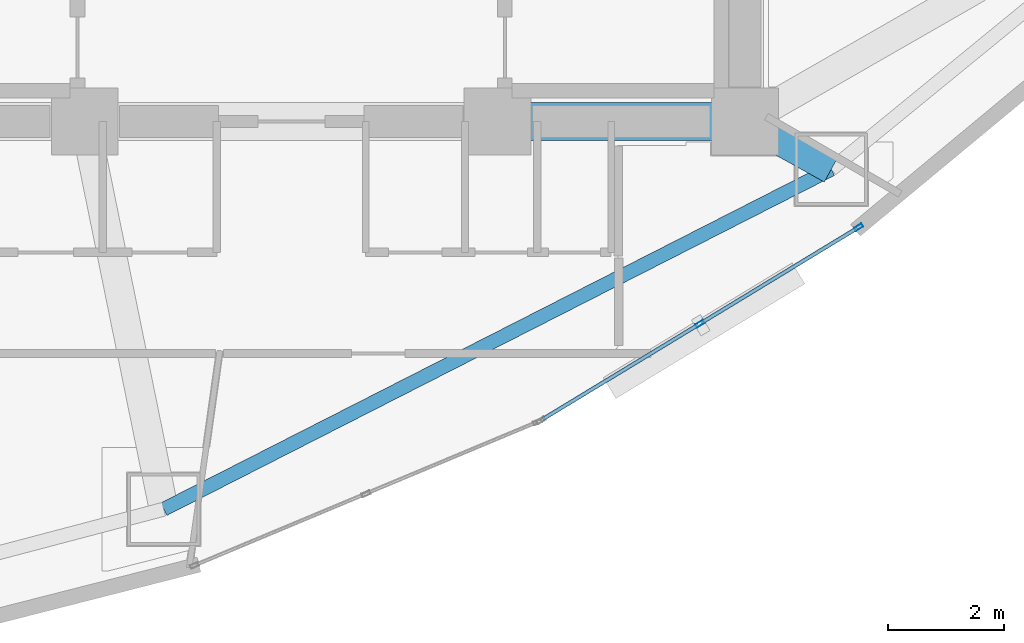
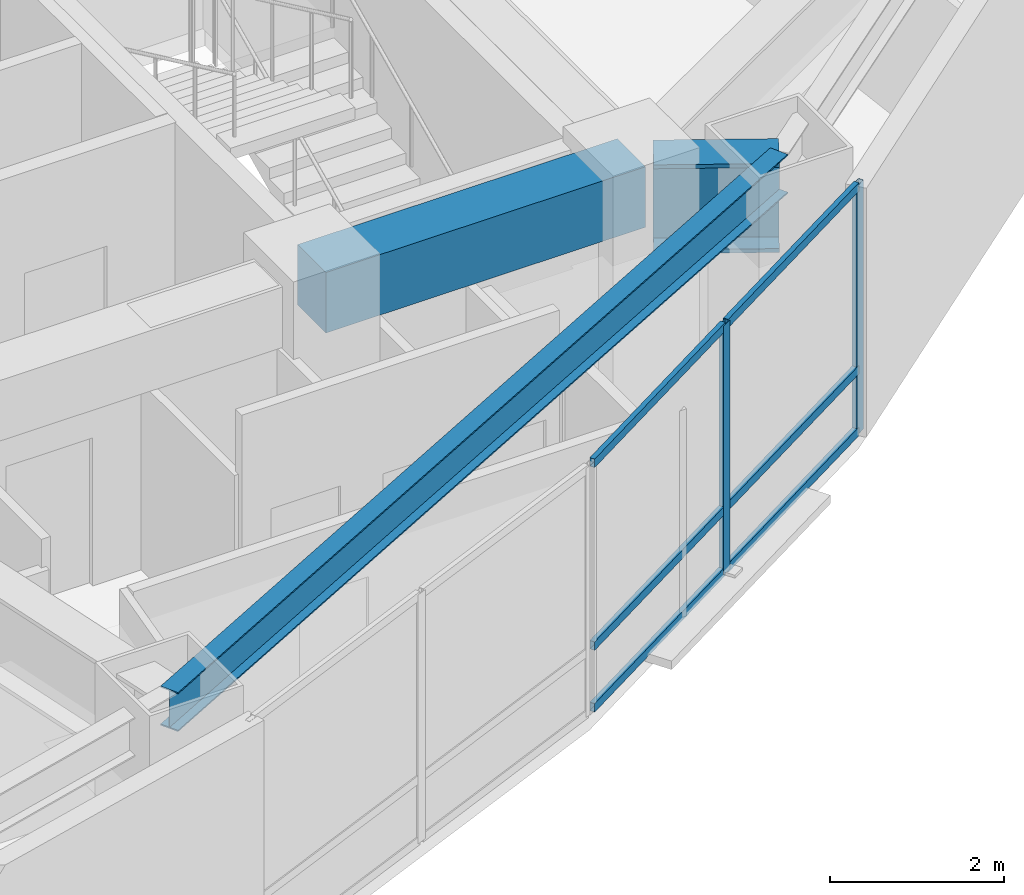
# One storey, part 5 of 17: 8 members, 3 beams, 1 element without a shape of its own.
"""IFC4 building model written with IfcOpenShell, lengths in metres."""

from ifc_helpers import new_model, si_unit, direction, frame, origin, origin_2d, place, context, subcontext, project, spatial, rectangle, hollow_rectangle, i_section, extrude, material, layer, layer_set, material_profile, profile_set, type_object, element, aggregate, save


model = new_model("IFC4")

# Units and contexts
model_context = context("Model", 3, precision=1e-05, world=origin(), true_north=direction((0.0, 1.0)))
body_context = subcontext(model_context, "Body", "Model", "MODEL_VIEW")
ifc_project = project(units=[si_unit("LENGTHUNIT", "METRE"), si_unit("AREAUNIT", "SQUARE_METRE"), si_unit("VOLUMEUNIT", "CUBIC_METRE"), si_unit("PLANEANGLEUNIT", "RADIAN"), si_unit("MASSUNIT", "GRAM", prefix="KILO")], contexts=[model_context])

# Site, building, storey
site_placement = place(None, origin())
site = spatial("IfcSite", under=ifc_project, at=site_placement, CompositionType="ELEMENT")
building_placement = place(site_placement, origin())
building = spatial("IfcBuilding", under=site, at=building_placement, Name="Menara Vayukalpa", CompositionType="ELEMENT")
storey_placement = place(building_placement, frame((0.0, 0.0, 133.739990234375)))
storey = spatial("IfcBuildingStorey", under=building, at=storey_placement, Name="L33", CompositionType="ELEMENT", Elevation=133.739990234375)

# Beams
ifc_material_1 = material(Name="Concrete C60/75", Category="concrete")
ifc_material_profile_1 = material_profile(ifc_material_1, rectangle(XDim=0.64990234375, YDim=0.85009765625, at=origin_2d()), Name="RC 650x850")
ifc_profile_set_1 = profile_set([ifc_material_profile_1], Name="Concrete C60/75")
beam_type_1 = type_object("IfcBeamType", Name="BM-CB1", PredefinedType="BEAM", material=ifc_profile_set_1)
beam_1_placement = place(storey_placement, frame((29.14990234375, 17.199951171875, 3.074951171875), z_axis=(1.0, 0.0, 0.0), x_axis=(0.0, 1.0, 0.0)))
element("IfcBeam", 1, at=beam_1_placement, inside=storey, type_object=beam_type_1, Name="L33 Core Tie Beam CBR3", PredefinedType="BEAM", context=body_context, shape_type="SweptSolid", body=[
    extrude(rectangle(XDim=0.64990234375, YDim=0.85009765625, at=origin_2d()), origin(), (0.0, 0.0, 1.0), 4.25),
])
ifc_material_2 = material(Name="Steel S355", Category="steel")
ifc_material_profile_2 = material_profile(ifc_material_2, i_section(OverallWidth=0.239990234375, OverallDepth=0.550048828125, WebThickness=0.010986328125, FlangeThickness=0.01904296875, at=origin_2d()), Name="WF 550x240x11x19")
ifc_profile_set_2 = profile_set([ifc_material_profile_2], Name="Steel S355")
beam_type_2 = type_object("IfcBeamType", Name="BM-SP2", PredefinedType="SPANDREL", material=ifc_profile_set_2)
beam_2_placement = place(storey_placement, frame((23.408203125, 10.53271484375, 3.22509765625), z_axis=(0.891097345221, 0.453812209333, 0.0), x_axis=(-0.453812209333, 0.891097345221, 0.0)))
element("IfcBeam", 2, at=beam_2_placement, inside=storey, type_object=beam_type_2, Name="L33 Perimeter Spandrel Beam SP08", PredefinedType="SPANDREL", context=body_context, shape_type="SweptSolid", body=[
    extrude(i_section(OverallWidth=0.239990234375, OverallDepth=0.550048828125, WebThickness=0.010986328125, FlangeThickness=0.01904296875, at=origin_2d()), origin(), (0.0, 0.0, 1.0), 12.88134765625),
])
ifc_material_3 = material(Name="Steel S460", Category="steel")
ifc_material_profile_3 = material_profile(ifc_material_3, i_section(OverallWidth=0.5, OverallDepth=1.25, WebThickness=0.028076171875, FlangeThickness=0.054931640625, at=origin_2d()), Name="WG 1250x500x28x55")
ifc_profile_set_3 = profile_set([ifc_material_profile_3], Name="Steel S460")
beam_type_3 = type_object("IfcBeamType", Name="BM-TG2", PredefinedType="BEAM", material=ifc_profile_set_3)
beam_3_placement = place(storey_placement, frame((33.618896484375, 17.0791015625, 2.875), z_axis=(0.875228391676, -0.48370989488, 0.0), x_axis=(0.48370989488, 0.875228391676, 0.0)))
element("IfcBeam", 3, at=beam_3_placement, inside=storey, type_object=beam_type_3, Name="L33 Primary Radial Girder RG09", PredefinedType="BEAM", context=body_context, shape_type="SweptSolid", body=[
    extrude(i_section(OverallWidth=0.5, OverallDepth=1.25, WebThickness=0.028076171875, FlangeThickness=0.054931640625, at=origin_2d()), origin(), (0.0, 0.0, 1.0), 1.448486328125),
])

# Curtain wall, members
ifc_material_4 = material(Name="Anodised Terracotta Aluminium Alloy 6063-T6", Category="masonry")
ifc_layer = layer(ifc_material_4, 0.14990234375)
ifc_layer_set = layer_set([ifc_layer], Name="Anodised Terracotta Aluminium Alloy 6063-T6")
curtain_wall_type = type_object("IfcCurtainWallType", Name="CW-CW3", PredefinedType="USERDEFINED", material=ifc_layer_set)
curtain_wall_placement = place(storey_placement, origin())
curtain_wall = element("IfcCurtainWall", 4, at=curtain_wall_placement, inside=storey, type_object=curtain_wall_type, Name="L33 Mid Rise Terracotta Ribbon Curtain Wall CW3 17", ObjectType="UNITISED", PredefinedType="USERDEFINED")
ifc_material_5 = material(Name="Anodised Terracotta Aluminium Alloy 6063-T6", Category="masonry")
ifc_material_profile_4 = material_profile(ifc_material_5, hollow_rectangle(XDim=0.06494140625, YDim=0.14990234375, WallThickness=0.00341796875, at=origin_2d()), Name="ALU 65x150x3.5")
ifc_profile_set_4 = profile_set([ifc_material_profile_4], Name="Anodised Terracotta Aluminium Alloy 6063-T6")
member_type_1 = type_object("IfcMemberType", Name="CWM-CW3", PredefinedType="MULLION", material=ifc_profile_set_4)
member_1_placement = place(storey_placement, frame((32.6259765625, 13.721435546875, 0.0), z_axis=(0.0, 0.0, 1.0), x_axis=(-0.519182959112, 0.854663123674, 0.0)))
member_1 = element("IfcMember", 5, at=member_1_placement, type_object=member_type_1, Name="CW3 mullion 2", PredefinedType="MULLION", context=body_context, shape_type="SweptSolid", body=[
    extrude(hollow_rectangle(XDim=0.06494140625, YDim=0.14990234375, WallThickness=0.00341796875, at=origin_2d()), origin(), (0.0, 0.0, 1.0), 3.5),
])
member_2_placement = place(storey_placement, frame((35.358154296875, 15.38134765625, 0.0), z_axis=(0.0, 0.0, 1.0), x_axis=(-0.519182959112, 0.854663123674, 0.0)))
member_2 = element("IfcMember", 6, at=member_2_placement, type_object=member_type_1, Name="CW3 mullion 3", PredefinedType="MULLION", context=body_context, shape_type="SweptSolid", body=[
    extrude(hollow_rectangle(XDim=0.06494140625, YDim=0.14990234375, WallThickness=0.00341796875, at=origin_2d()), origin(), (0.0, 0.0, 1.0), 3.5),
])
ifc_material_6 = material(Name="Anodised Terracotta Aluminium Alloy 6063-T6", Category="masonry")
ifc_material_profile_5 = material_profile(ifc_material_6, hollow_rectangle(XDim=0.06494140625, YDim=0.1201171875, WallThickness=0.00341796875, at=origin_2d()), Name="ALU 65x120x3.5")
ifc_profile_set_5 = profile_set([ifc_material_profile_5], Name="Anodised Terracotta Aluminium Alloy 6063-T6")
member_type_2 = type_object("IfcMemberType", Name="CWT-CW3", PredefinedType="USERDEFINED", material=ifc_profile_set_5)
member_3_placement = place(storey_placement, frame((29.92138671875, 12.07861328125, 0.032470703125), z_axis=(0.854673871166, 0.519165266506, 0.0), x_axis=(-0.519165266506, 0.854673871166, 0.0)))
member_3 = element("IfcMember", 7, at=member_3_placement, type_object=member_type_2, Name="CW3 transom 1.1", ObjectType="TRANSOM", PredefinedType="USERDEFINED", context=body_context, shape_type="SweptSolid", body=[
    extrude(hollow_rectangle(XDim=0.06494140625, YDim=0.1201171875, WallThickness=0.00341796875, at=origin_2d()), origin(), (0.0, 0.0, 1.0), 3.1318359375),
])
member_4_placement = place(storey_placement, frame((29.92138671875, 12.07861328125, 0.89990234375), z_axis=(0.854673871166, 0.519165266506, 0.0), x_axis=(-0.519165266506, 0.854673871166, 0.0)))
member_4 = element("IfcMember", 8, at=member_4_placement, type_object=member_type_2, Name="CW3 transom 1.2", ObjectType="TRANSOM", PredefinedType="USERDEFINED", context=body_context, shape_type="SweptSolid", body=[
    extrude(hollow_rectangle(XDim=0.06494140625, YDim=0.1201171875, WallThickness=0.00341796875, at=origin_2d()), origin(), (0.0, 0.0, 1.0), 3.1318359375),
])
member_5_placement = place(storey_placement, frame((29.92138671875, 12.07861328125, 3.467529296875), z_axis=(0.854673871166, 0.519165266506, 0.0), x_axis=(-0.519165266506, 0.854673871166, 0.0)))
member_5 = element("IfcMember", 9, at=member_5_placement, type_object=member_type_2, Name="CW3 transom 1.3", ObjectType="TRANSOM", PredefinedType="USERDEFINED", context=body_context, shape_type="SweptSolid", body=[
    extrude(hollow_rectangle(XDim=0.06494140625, YDim=0.1201171875, WallThickness=0.00341796875, at=origin_2d()), origin(), (0.0, 0.0, 1.0), 3.1318359375),
])
member_6_placement = place(storey_placement, frame((32.65380859375, 13.73828125, 0.032470703125), z_axis=(0.854673871166, 0.519165266506, 0.0), x_axis=(-0.519165266506, 0.854673871166, 0.0)))
member_6 = element("IfcMember", 10, at=member_6_placement, type_object=member_type_2, Name="CW3 transom 2.1", ObjectType="TRANSOM", PredefinedType="USERDEFINED", context=body_context, shape_type="SweptSolid", body=[
    extrude(hollow_rectangle(XDim=0.06494140625, YDim=0.1201171875, WallThickness=0.00341796875, at=origin_2d()), origin(), (0.0, 0.0, 1.0), 3.1318359375),
])
member_7_placement = place(storey_placement, frame((32.65380859375, 13.73828125, 0.89990234375), z_axis=(0.854673871166, 0.519165266506, 0.0), x_axis=(-0.519165266506, 0.854673871166, 0.0)))
member_7 = element("IfcMember", 11, at=member_7_placement, type_object=member_type_2, Name="CW3 transom 2.2", ObjectType="TRANSOM", PredefinedType="USERDEFINED", context=body_context, shape_type="SweptSolid", body=[
    extrude(hollow_rectangle(XDim=0.06494140625, YDim=0.1201171875, WallThickness=0.00341796875, at=origin_2d()), origin(), (0.0, 0.0, 1.0), 3.1318359375),
])
member_8_placement = place(storey_placement, frame((32.65380859375, 13.73828125, 3.467529296875), z_axis=(0.854673871166, 0.519165266506, 0.0), x_axis=(-0.519165266506, 0.854673871166, 0.0)))
member_8 = element("IfcMember", 12, at=member_8_placement, type_object=member_type_2, Name="CW3 transom 2.3", ObjectType="TRANSOM", PredefinedType="USERDEFINED", context=body_context, shape_type="SweptSolid", body=[
    extrude(hollow_rectangle(XDim=0.06494140625, YDim=0.1201171875, WallThickness=0.00341796875, at=origin_2d()), origin(), (0.0, 0.0, 1.0), 3.1318359375),
])
aggregate(curtain_wall, [member_1, member_2, member_3, member_4, member_5, member_6, member_7, member_8])

save(model, "model.ifc")
